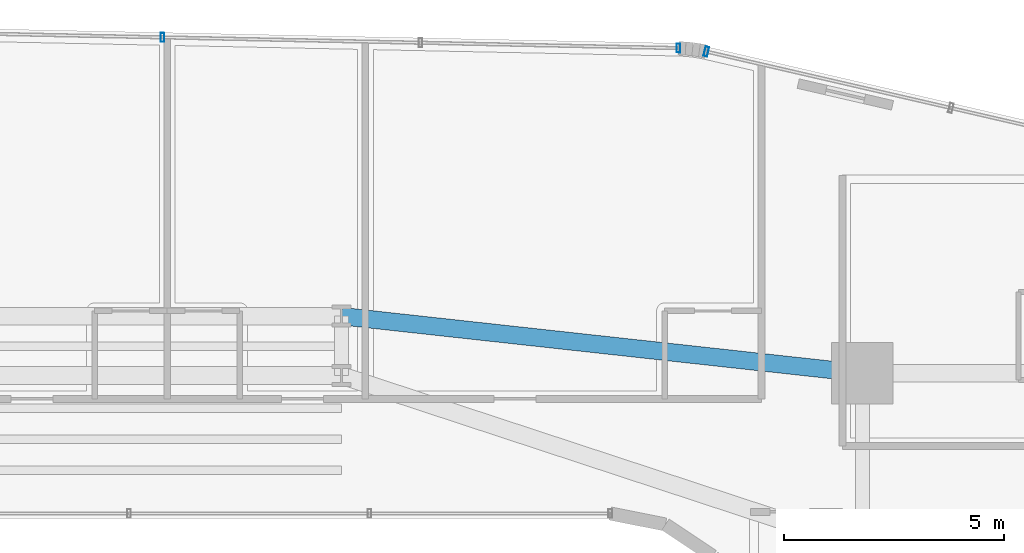
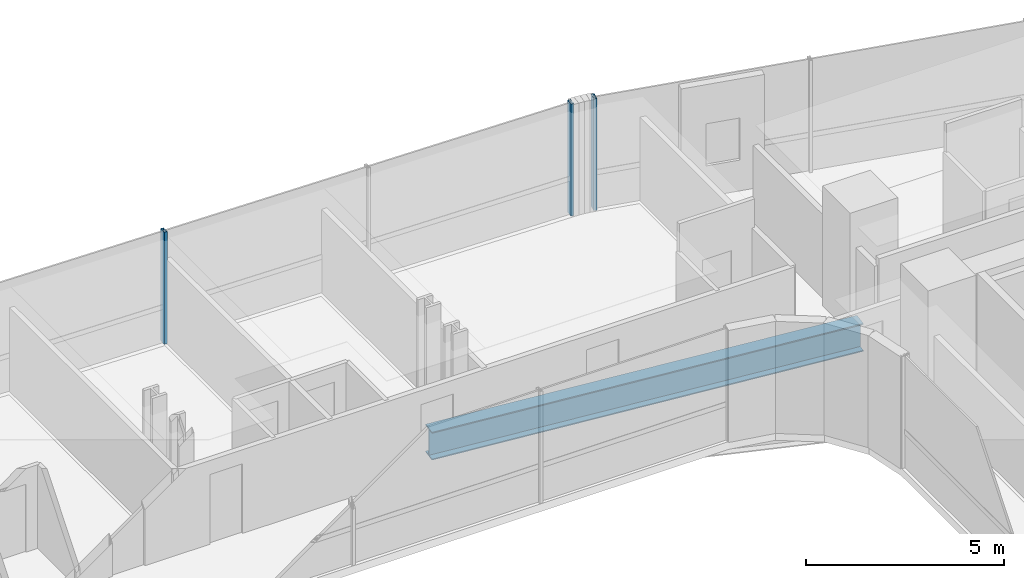
# One storey, part 22 of 40: 3 members, 1 beam, 2 elements without a shape of their own.
"""IFC4 building model written with IfcOpenShell, lengths in metres."""

from ifc_helpers import new_model, si_unit, direction, frame, origin, origin_2d, place, context, subcontext, project, spatial, hollow_rectangle, i_section, extrude, source, transform, mapped, material, material_profile, profile_set, type_object, element, aggregate, save


model = new_model("IFC4")

# Units and contexts
model_context = context("Model", 3, precision=1e-05, world=origin(), true_north=direction((0.0, 1.0)))
body_context = subcontext(model_context, "Body", "Model", "MODEL_VIEW")
ifc_project = project(units=[si_unit("LENGTHUNIT", "METRE"), si_unit("AREAUNIT", "SQUARE_METRE"), si_unit("VOLUMEUNIT", "CUBIC_METRE"), si_unit("PLANEANGLEUNIT", "RADIAN"), si_unit("MASSUNIT", "GRAM", prefix="KILO")], contexts=[model_context])

# Site, building, storey
site_placement = place(None, origin())
site = spatial("IfcSite", under=ifc_project, at=site_placement, CompositionType="ELEMENT")
building_placement = place(site_placement, origin())
building = spatial("IfcBuilding", under=site, at=building_placement, Name="Valdorenza Pilgrim Sanctuary Tower", CompositionType="ELEMENT")
storey_placement = place(building_placement, frame((0.0, 0.0, 92.60009765625)))
storey = spatial("IfcBuildingStorey", under=building, at=storey_placement, Name="L23", CompositionType="ELEMENT", Elevation=92.60009765625)

# Beam
ifc_material_1 = material(Name="Steel ASTM A992 Grade 50", Category="steel")
ifc_material_profile_1 = material_profile(ifc_material_1, i_section(OverallWidth=0.39990234375, OverallDepth=0.862060546875, WebThickness=0.019775390625, FlangeThickness=0.032470703125, at=origin_2d()), Name="W33X221")
ifc_profile_set_1 = profile_set([ifc_material_profile_1], Name="Steel ASTM A992 Grade 50")
beam_type = type_object("IfcBeamType", Name="STR-BM-GRD-W33", PredefinedType="BEAM", material=ifc_profile_set_1)
shared_shape_1 = source(origin(), body_context, "Body", "SweptSolid", [
    extrude(i_section(OverallWidth=0.39990234375, OverallDepth=0.862060546875, WebThickness=0.019775390625, FlangeThickness=0.032470703125, at=origin_2d()), origin(), (0.0, 0.0, 1.0), 11.921142578125),
])
beam_placement = place(storey_placement, frame((4.0, 14.800048828125, -0.671142578125), z_axis=(0.994035876607, -0.10905354656, 0.0), x_axis=(0.10905354656, 0.994035876607, 0.0)))
element("IfcBeam", 1, at=beam_placement, inside=storey, type_object=beam_type, Name="L23 Floor Girder KNK-G6", PredefinedType="BEAM", context=body_context, shape_type="MappedRepresentation", body=[
    mapped(shared_shape_1, transform((0.0, 0.0, 0.0), x_axis=(1.0, 0.0, 0.0), y_axis=(0.0, 1.0, 0.0), z_axis=(0.0, 0.0, 1.0), scale=1.0)),
])

# Curtain wall, members
ifc_material_2 = material(Name="Curtain-wall IGU glazing", Category="glass")
curtain_wall_type_1 = type_object("IfcCurtainWallType", Name="CW-SYS-02", PredefinedType="NOTDEFINED", material=ifc_material_2)
curtain_wall_1_placement = place(storey_placement, origin())
curtain_wall_1 = element("IfcCurtainWall", 2, at=curtain_wall_1_placement, inside=storey, type_object=curtain_wall_type_1, Name="L23 Curtain Wall CW-L23-1-11", PredefinedType="NOTDEFINED")
ifc_material_3 = material(Name="Anodised aluminium AW-6060", Category="aluminium")
ifc_material_profile_2 = material_profile(ifc_material_3, hollow_rectangle(XDim=0.0849609375, YDim=0.199951171875, WallThickness=0.0048828125, at=origin_2d()), Name="ALU-M 200x85x5")
ifc_profile_set_2 = profile_set([ifc_material_profile_2], Name="Anodised aluminium AW-6060")
member_type_1 = type_object("IfcMemberType", Name="CW-MUL-02", PredefinedType="MULLION", material=ifc_profile_set_2)
shared_shape_2 = source(origin(), body_context, "Body", "SweptSolid", [
    extrude(hollow_rectangle(XDim=0.0849609375, YDim=0.199951171875, WallThickness=0.0048828125, at=origin_2d()), origin(), (0.0, 0.0, 1.0), 3.4599609375),
])
member_1_placement = place(storey_placement, frame((-0.0712890625, 21.1416015625, 0.0), z_axis=(0.0, 0.0, 1.0), x_axis=(0.999783234613, -0.020820273474, 0.0)))
member_1 = element("IfcMember", 3, at=member_1_placement, type_object=member_type_1, Name="CW-L23-1-11 Mullion 3", PredefinedType="MULLION", context=body_context, shape_type="MappedRepresentation", body=[
    mapped(shared_shape_2, transform((0.0, 0.0, 0.0), x_axis=(1.0, 0.0, 0.0), y_axis=(0.0, 1.0, 0.0), z_axis=(0.0, 0.0, 1.0), scale=1.0)),
])
member_2_placement = place(storey_placement, frame((11.665771484375, 20.89697265625, 0.0), z_axis=(0.0, 0.0, 1.0), x_axis=(0.999783234613, -0.020820273474, 0.0)))
member_2 = element("IfcMember", 4, at=member_2_placement, type_object=member_type_1, Name="CW-L23-1-11 Mullion 5", PredefinedType="MULLION", context=body_context, shape_type="MappedRepresentation", body=[
    mapped(shared_shape_2, transform((0.0, 0.0, 0.0), x_axis=(1.0, 0.0, 0.0), y_axis=(0.0, 1.0, 0.0), z_axis=(0.0, 0.0, 1.0), scale=1.0)),
])
aggregate(curtain_wall_1, [member_1, member_2])

# Curtain wall, member
curtain_wall_type_2 = type_object("IfcCurtainWallType", Name="CW-SYS-03", PredefinedType="NOTDEFINED", material=ifc_material_2)
curtain_wall_2_placement = place(storey_placement, origin())
curtain_wall_2 = element("IfcCurtainWall", 5, at=curtain_wall_2_placement, inside=storey, type_object=curtain_wall_type_2, Name="L23 Curtain Wall CW-L23-1-16", PredefinedType="NOTDEFINED")
ifc_material_profile_3 = material_profile(ifc_material_3, hollow_rectangle(XDim=0.0849609375, YDim=0.219970703125, WallThickness=0.0048828125, at=origin_2d()), Name="ALU-M 220x85x5")
ifc_profile_set_3 = profile_set([ifc_material_profile_3], Name="Anodised aluminium AW-6060")
member_type_2 = type_object("IfcMemberType", Name="CW-MUL-03", PredefinedType="MULLION", material=ifc_profile_set_3)
shared_shape_3 = source(origin(), body_context, "Body", "SweptSolid", [
    extrude(hollow_rectangle(XDim=0.0849609375, YDim=0.219970703125, WallThickness=0.0048828125, at=origin_2d()), origin(), (0.0, 0.0, 1.0), 3.4599609375),
])
member_3_placement = place(storey_placement, frame((12.299072265625, 20.818115234375, 0.0), z_axis=(0.0, 0.0, 1.0), x_axis=(0.974389691758, -0.224866023659, 0.0)))
member_3 = element("IfcMember", 6, at=member_3_placement, type_object=member_type_2, Name="CW-L23-1-16 Mullion 1", PredefinedType="MULLION", context=body_context, shape_type="MappedRepresentation", body=[
    mapped(shared_shape_3, transform((0.0, 0.0, 0.0), x_axis=(1.0, 0.0, 0.0), y_axis=(0.0, 1.0, 0.0), z_axis=(0.0, 0.0, 1.0), scale=1.0)),
])
aggregate(curtain_wall_2, [member_3])

save(model, "model.ifc")
